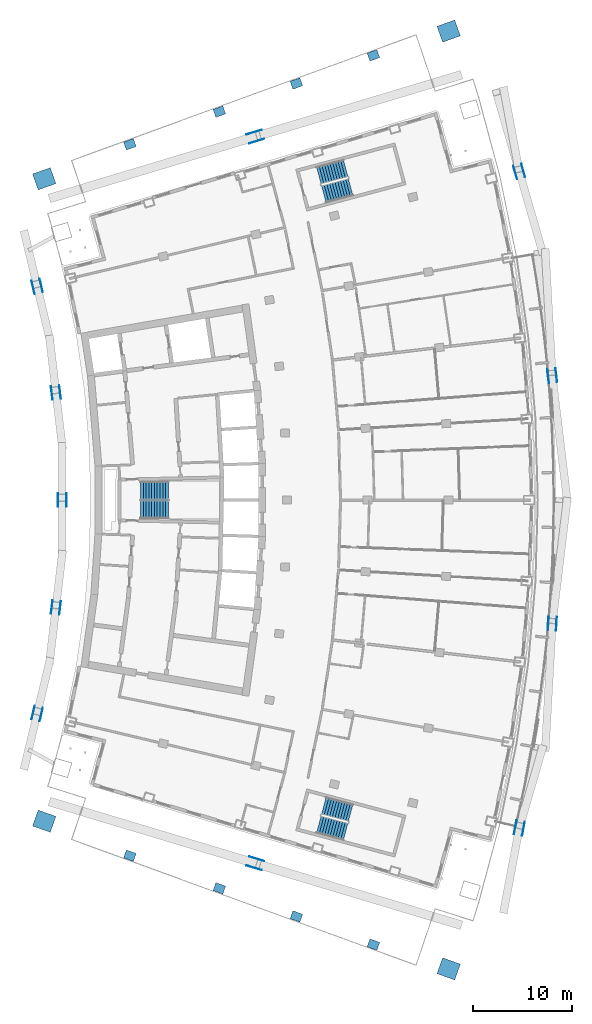
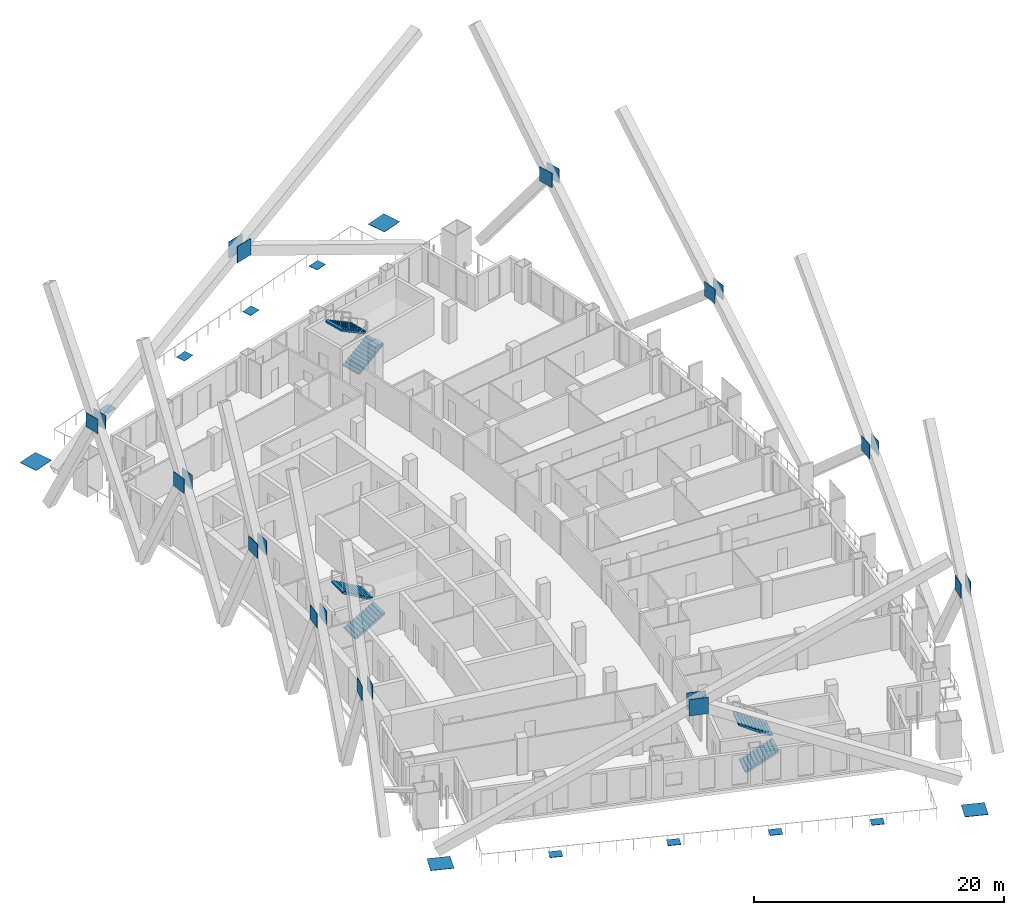
# One storey, part 17 of 20: 34 discrete accessories, 6 stair flights, 3 elements without a shape of their own.
"""IFC4 building model written with IfcOpenShell, lengths in metres."""

import ifcopenshell
import ifcopenshell.guid

model = None  # the IFC model being written
_history = None  # IfcOwnerHistory: only IFC2X3 demands one
_inside = {}  # id of a spatial element -> (the spatial element, [elements in it])
_under = {}  # id of a project, library or spatial element -> (it, [spatial elements below it])
_declared = {}  # id of a project -> (the project, [libraries it declares])
_typed = {}  # id of a type object -> (the type object, [elements of that type])
_made_of = {}  # id of a material, layer set ... -> (it, [elements and type objects made of it])


def new_model(schema):
    """Start an empty IFC model of exactly this schema.

    Asked for "IFC4X3", IfcOpenShell would pick the latest addendum, in which some entities
    have other attributes; the version numbers below select the first issue.
    IFC2X3 requires an IfcOwnerHistory on every rooted entity: one is made here for all.
    """
    global model, _history
    if schema == "IFC4X3":
        model = ifcopenshell.file(schema_version=(4, 3, 0, 0))
    else:
        model = ifcopenshell.file(schema=schema)
    _inside.clear()
    _under.clear()
    _declared.clear()
    _typed.clear()
    _made_of.clear()
    _history = None
    if model.schema == "IFC2X3":
        org = make("IfcOrganization", Name="unknown")
        user = make(
            "IfcPersonAndOrganization",
            ThePerson=make("IfcPerson", FamilyName="unknown"),
            TheOrganization=org,
        )
        app = make(
            "IfcApplication",
            ApplicationDeveloper=org,
            Version="unknown",
            ApplicationFullName="unknown",
            ApplicationIdentifier="unknown",
        )
        _history = make(
            "IfcOwnerHistory",
            OwningUser=user,
            OwningApplication=app,
            ChangeAction="ADDED",
            CreationDate=0,
        )
    return model


def make(cls, **values):
    """One entity of the class cls with the attributes given. An attribute that is None is left unset."""
    return model.create_entity(
        cls, **{name: value for name, value in values.items() if value is not None}
    )


def rooted(cls, **values):
    """An entity with a GlobalId (a new one), such as an element, a storey or a relation."""
    return make(cls, GlobalId=ifcopenshell.guid.new(), OwnerHistory=_history, **values)


def si_unit(unit_type, name, prefix=None):
    """IfcSIUnit, for example si_unit("LENGTHUNIT", "METRE", prefix="MILLI")."""
    return make("IfcSIUnit", UnitType=unit_type, Prefix=prefix, Name=name)


def assignment(units):
    """IfcUnitAssignment: the units of a project."""
    return None if units is None else make("IfcUnitAssignment", Units=units)


def point(xyz):
    """IfcCartesianPoint."""
    return None if xyz is None else make("IfcCartesianPoint", Coordinates=xyz)


def direction(xyz):
    """IfcDirection."""
    return None if xyz is None else make("IfcDirection", DirectionRatios=xyz)


def frame(location, z_axis=None, x_axis=None):
    """IfcAxis2Placement3D, a coordinate frame: its origin and axes. An axis left out is left unset."""
    return make(
        "IfcAxis2Placement3D",
        Location=point(location),
        Axis=direction(z_axis),
        RefDirection=direction(x_axis),
    )


def frame_2d(location, x_axis=None):
    """IfcAxis2Placement2D, a coordinate frame in the plane: its origin and x axis."""
    return make(
        "IfcAxis2Placement2D", Location=point(location), RefDirection=direction(x_axis)
    )


def origin():
    """The frame at (0, 0, 0) with its axes left unset."""
    return frame((0.0, 0.0, 0.0))


def origin_2d():
    """The frame at (0, 0) in the plane with its x axis left unset."""
    return frame_2d((0.0, 0.0))


def place(relative_to, where):
    """IfcLocalPlacement: puts the frame where relative to a parent placement (None: the world)."""
    return make(
        "IfcLocalPlacement", PlacementRelTo=relative_to, RelativePlacement=where
    )


def context(
    kind, dimensions, precision=None, world=None, true_north=None, identifier=None
):
    """IfcGeometricRepresentationContext, for example the 3D "Model" context."""
    return make(
        "IfcGeometricRepresentationContext",
        ContextIdentifier=identifier,
        ContextType=kind,
        CoordinateSpaceDimension=dimensions,
        Precision=precision,
        WorldCoordinateSystem=world,
        TrueNorth=true_north,
    )


def subcontext(parent, identifier, kind, view, scale=None):
    """IfcGeometricRepresentationSubContext, for example "Body" below "Model"."""
    return make(
        "IfcGeometricRepresentationSubContext",
        ContextIdentifier=identifier,
        ContextType=kind,
        ParentContext=parent,
        TargetScale=scale,
        TargetView=view,
    )


def project(units=None, contexts=None):
    """IfcProject with its units and contexts."""
    return rooted(
        "IfcProject",
        Name="project",
        RepresentationContexts=contexts,
        UnitsInContext=assignment(units),
    )


def spatial(cls, under=None, at=None, **own):
    """A site, building, storey or space (cls), placed at a placement, below another one or the project."""
    s = rooted(cls, ObjectPlacement=at, **own)
    if under is not None:
        _under.setdefault(under.id(), (under, []))[1].append(s)
    return s


def polyline(points):
    """IfcPolyline through the points."""
    return make("IfcPolyline", Points=[point(p) for p in points])


def profile(cls, at=None, kind="AREA", **sizes):
    """A parametric profile (cls). Its sizes go by their IFC names, for example OverallWidth=200.0."""
    return make(cls, ProfileType=kind, Position=at, **sizes)


def rectangle(**sizes):
    """IfcRectangleProfileDef."""
    return profile("IfcRectangleProfileDef", **sizes)


def outline(outer, holes=None, kind="AREA"):
    """IfcArbitraryClosedProfileDef: a profile drawn as a closed curve; with holes, ...WithVoids."""
    if holes is None:
        return make("IfcArbitraryClosedProfileDef", ProfileType=kind, OuterCurve=outer)
    return make(
        "IfcArbitraryProfileDefWithVoids",
        ProfileType=kind,
        OuterCurve=outer,
        InnerCurves=holes,
    )


def extrude(swept, where, along, depth):
    """IfcExtrudedAreaSolid: the profile swept, set in the frame where, extruded along a direction by depth."""
    return make(
        "IfcExtrudedAreaSolid",
        SweptArea=swept,
        Position=where,
        ExtrudedDirection=direction(along),
        Depth=depth,
    )


def shape(context_of_items, identifier, shape_type, items):
    """IfcShapeRepresentation: the items that make up one representation, for example the "Body"."""
    return make(
        "IfcShapeRepresentation",
        ContextOfItems=context_of_items,
        RepresentationIdentifier=identifier,
        RepresentationType=shape_type,
        Items=items,
    )


def material(Name=None, Category=None):
    """IfcMaterial."""
    return make("IfcMaterial", Name=Name, Category=Category)


def layer(
    of_material, thickness, ventilated=None, Name=None, Category=None, Priority=None
):
    """IfcMaterialLayer: one layer of a wall or slab, of a material (None: an air gap)."""
    return make(
        "IfcMaterialLayer",
        Material=of_material,
        LayerThickness=thickness,
        IsVentilated=ventilated,
        Name=Name,
        Category=Category,
        Priority=Priority,
    )


def layer_set(layers, Name=None):
    """IfcMaterialLayerSet."""
    return make("IfcMaterialLayerSet", MaterialLayers=layers, LayerSetName=Name)


def material_profile(
    of_material, cross_section, Name=None, Category=None, Priority=None
):
    """IfcMaterialProfile: a cross section and its material."""
    return make(
        "IfcMaterialProfile",
        Name=Name,
        Material=of_material,
        Profile=cross_section,
        Priority=Priority,
        Category=Category,
    )


def profile_set(profiles, Name=None, composite=None):
    """IfcMaterialProfileSet."""
    return make(
        "IfcMaterialProfileSet",
        Name=Name,
        MaterialProfiles=profiles,
        CompositeProfile=composite,
    )


def made_of(thing, what):
    """Note that an element or type object is made of a material, layer set ...; save() writes the relation."""
    if what is not None:
        _made_of.setdefault(what.id(), (what, []))[1].append(thing)
    return thing


def type_object(cls, material=None, **own):
    """A type object (cls), such as IfcWallType, which elements share."""
    return made_of(rooted(cls, **own), material)


def element(
    cls,
    number,
    at=None,
    inside=None,
    cuts=None,
    type_object=None,
    material=None,
    context=None,
    identifier="Body",
    shape_type=None,
    held_by="IfcProductDefinitionShape",
    body=None,
    shapes=None,
    **own,
):
    """One element of the class cls, such as IfcWall. Its Tag is "e" and its number.

    at: its placement. inside: the storey or other place that contains it. cuts: it is an
    opening in that element (IfcRelVoidsElement). A single representation is given by context,
    identifier, shape_type and body (its items); several are given by shapes. held_by: the class
    of the entity that holds the representations. save() writes the other relations.
    """
    e = rooted(cls, Tag="e%d" % number, ObjectPlacement=at, **own)
    if body is not None:
        shapes = [shape(context, identifier, shape_type, body)]
    if shapes is not None:
        e.Representation = make(held_by, Representations=shapes)
    if inside is not None:
        _inside.setdefault(inside.id(), (inside, []))[1].append(e)
    if cuts is not None:
        rooted(
            "IfcRelVoidsElement", RelatingBuildingElement=cuts, RelatedOpeningElement=e
        )
    if type_object is not None:
        _typed.setdefault(type_object.id(), (type_object, []))[1].append(e)
    return made_of(e, material)


def aggregate(whole, parts):
    """IfcRelAggregates: a whole, such as a stair, and the parts it consists of."""
    return rooted("IfcRelAggregates", RelatingObject=whole, RelatedObjects=parts)


def save(model, path):
    """Write the relations noted so far, then the file.

    IfcRelAggregates (storeys below a building ...), IfcRelContainedInSpatialStructure (elements
    in a storey), IfcRelDefinesByType, IfcRelAssociatesMaterial and IfcRelDeclares: one each for
    every whole, place, type object, material and project.
    """
    for whole, parts in _under.values():
        aggregate(whole, parts)
    for where, things in _inside.values():
        rooted(
            "IfcRelContainedInSpatialStructure",
            RelatedElements=things,
            RelatingStructure=where,
        )
    for kind, things in _typed.values():
        rooted("IfcRelDefinesByType", RelatedObjects=things, RelatingType=kind)
    for what, things in _made_of.values():
        rooted("IfcRelAssociatesMaterial", RelatedObjects=things, RelatingMaterial=what)
    for by, libraries in _declared.values():
        rooted("IfcRelDeclares", RelatingContext=by, RelatedDefinitions=libraries)
    model.write(path)


model = new_model("IFC4")

# Units and contexts
model_context = context("Model", 3, precision=1e-05, world=origin(), true_north=direction((0.0, 1.0)))
body_context = subcontext(model_context, "Body", "Model", "MODEL_VIEW")
ifc_project = project(units=[si_unit("LENGTHUNIT", "METRE"), si_unit("AREAUNIT", "SQUARE_METRE"), si_unit("VOLUMEUNIT", "CUBIC_METRE"), si_unit("PLANEANGLEUNIT", "RADIAN"), si_unit("MASSUNIT", "GRAM", prefix="KILO")], contexts=[model_context])

# Site, building, storey
site_placement = place(None, origin())
site = spatial("IfcSite", under=ifc_project, at=site_placement, CompositionType="ELEMENT")
building_placement = place(site_placement, origin())
building = spatial("IfcBuilding", under=site, at=building_placement, Name="Alderwake Tower", CompositionType="ELEMENT")
storey_placement = place(building_placement, frame((0.0, 0.0, 138.800048828125)))
storey = spatial("IfcBuildingStorey", under=building, at=storey_placement, Name="L33", CompositionType="ELEMENT", Elevation=138.800048828125)

# Stair, stair flights
ifc_material_1 = material(Name="Concrete C40/50", Category="concrete")
stair_type = type_object("IfcStairType", Name="Core exit stair", PredefinedType="HALF_TURN_STAIR", material=ifc_material_1)
stair_1_placement = place(storey_placement, origin())
stair_1 = element("IfcStair", 1, at=stair_1_placement, inside=storey, type_object=stair_type, Name="L33 Exit Stair B", PredefinedType="HALF_TURN_STAIR")
ifc_material_2 = material(Name="Concrete C40/50", Category="concrete")
ifc_layer = layer(ifc_material_2, 0.14990234375)
ifc_layer_set = layer_set([ifc_layer], Name="Core stair flight")
stair_flight_type = type_object("IfcStairFlightType", Name="Core stair flight", PredefinedType="STRAIGHT", material=ifc_layer_set)
stair_flight_1_placement = place(storey_placement, frame((21.0400390625, 60.02490234375, 0.0), z_axis=(0.0, 0.0, 1.0), x_axis=(1.0, 0.0, 0.0)))
stair_flight_1 = element("IfcStairFlight", 2, at=stair_flight_1_placement, type_object=stair_flight_type, Name="ST-B flight 1", NumberOfRisers=11, NumberOfTreads=10, PredefinedType="STRAIGHT", RiserHeight=0.163636364, TreadLength=0.28, context=body_context, shape_type="SweptSolid", body=[
    extrude(outline(polyline([(0.0, 0.0), (0.0, 0.16357421875), (0.280029296875, 0.16357421875), (0.280029296875, 0.327392578125), (0.56005859375, 0.327392578125), (0.56005859375, 0.490966796875), (0.840087890625, 0.490966796875), (0.840087890625, 0.654541015625), (1.1201171875, 0.654541015625), (1.1201171875, 0.818115234375), (1.39990234375, 0.818115234375), (1.39990234375, 0.98193359375), (1.679931640625, 0.98193359375), (1.679931640625, 1.1455078125), (1.9599609375, 1.1455078125), (1.9599609375, 1.30908203125), (2.239990234375, 1.30908203125), (2.239990234375, 1.47265625), (2.52001953125, 1.47265625), (2.52001953125, 1.636474609375), (2.800048828125, 1.636474609375), (2.800048828125, 1.800048828125), (2.800048828125, 1.462646484375), (0.297119140625, 0.0), (0.0, 0.0)])), frame((0.0, 0.89990234375, 0.0), z_axis=(0.0, -1.0, 0.0), x_axis=(1.0, 0.0, 0.0)), (0.0, 0.0, 1.0), 1.800048828125),
])
stair_flight_2_placement = place(storey_placement, frame((23.840087890625, 61.97509765625, 1.800048828125), z_axis=(0.0, 0.0, 1.0), x_axis=(-1.0, 0.0, 0.0)))
stair_flight_2 = element("IfcStairFlight", 3, at=stair_flight_2_placement, type_object=stair_flight_type, Name="ST-B flight 2", NumberOfRisers=11, NumberOfTreads=10, PredefinedType="STRAIGHT", RiserHeight=0.163636364, TreadLength=0.28, context=body_context, shape_type="SweptSolid", body=[
    extrude(outline(polyline([(0.0, 0.0), (0.0, 0.16357421875), (0.280029296875, 0.16357421875), (0.280029296875, 0.327392578125), (0.56005859375, 0.327392578125), (0.56005859375, 0.490966796875), (0.840087890625, 0.490966796875), (0.840087890625, 0.654541015625), (1.1201171875, 0.654541015625), (1.1201171875, 0.818115234375), (1.39990234375, 0.818115234375), (1.39990234375, 0.98193359375), (1.679931640625, 0.98193359375), (1.679931640625, 1.1455078125), (1.9599609375, 1.1455078125), (1.9599609375, 1.30908203125), (2.239990234375, 1.30908203125), (2.239990234375, 1.47265625), (2.52001953125, 1.47265625), (2.52001953125, 1.636474609375), (2.800048828125, 1.636474609375), (2.800048828125, 1.800048828125), (2.800048828125, 1.462646484375), (0.297119140625, 0.0), (0.0, 0.0)])), frame((0.0, 0.89990234375, 0.0), z_axis=(0.0, -1.0, 0.0), x_axis=(1.0, 0.0, 0.0)), (0.0, 0.0, 1.0), 1.800048828125),
])
aggregate(stair_1, [stair_flight_1, stair_flight_2])

stair_2_placement = place(storey_placement, origin())
stair_2 = element("IfcStair", 4, at=stair_2_placement, inside=storey, type_object=stair_type, Name="L33 Exit Stair A", PredefinedType="HALF_TURN_STAIR")
stair_flight_3_placement = place(storey_placement, frame((39.512939453125, 91.823974609375, 0.0), z_axis=(0.0, 0.0, 1.0), x_axis=(0.966309627437, 0.257382407951, 0.0)))
stair_flight_3 = element("IfcStairFlight", 5, at=stair_flight_3_placement, type_object=stair_flight_type, Name="ST-A flight 1", NumberOfRisers=11, NumberOfTreads=10, PredefinedType="STRAIGHT", RiserHeight=0.163636364, TreadLength=0.28, context=body_context, shape_type="SweptSolid", body=[
    extrude(outline(polyline([(0.0, 0.0), (0.0, 0.16357421875), (0.280029296875, 0.16357421875), (0.280029296875, 0.327392578125), (0.56005859375, 0.327392578125), (0.56005859375, 0.490966796875), (0.840087890625, 0.490966796875), (0.840087890625, 0.654541015625), (1.1201171875, 0.654541015625), (1.1201171875, 0.818115234375), (1.39990234375, 0.818115234375), (1.39990234375, 0.98193359375), (1.679931640625, 0.98193359375), (1.679931640625, 1.1455078125), (1.9599609375, 1.1455078125), (1.9599609375, 1.30908203125), (2.239990234375, 1.30908203125), (2.239990234375, 1.47265625), (2.52001953125, 1.47265625), (2.52001953125, 1.636474609375), (2.800048828125, 1.636474609375), (2.800048828125, 1.800048828125), (2.800048828125, 1.462646484375), (0.297119140625, 0.0), (0.0, 0.0)])), frame((0.0, 0.89990234375, 0.0), z_axis=(0.0, -1.0, 0.0), x_axis=(1.0, 0.0, 0.0)), (0.0, 0.0, 1.0), 1.800048828125),
])
stair_flight_4_placement = place(storey_placement, frame((41.716796875, 94.428955078125, 1.800048828125), z_axis=(0.0, 0.0, 1.0), x_axis=(-0.966309627437, -0.257382407951, 0.0)))
stair_flight_4 = element("IfcStairFlight", 6, at=stair_flight_4_placement, type_object=stair_flight_type, Name="ST-A flight 2", NumberOfRisers=11, NumberOfTreads=10, PredefinedType="STRAIGHT", RiserHeight=0.163636364, TreadLength=0.28, context=body_context, shape_type="SweptSolid", body=[
    extrude(outline(polyline([(0.0, 0.0), (0.0, 0.16357421875), (0.280029296875, 0.16357421875), (0.280029296875, 0.327392578125), (0.56005859375, 0.327392578125), (0.56005859375, 0.490966796875), (0.840087890625, 0.490966796875), (0.840087890625, 0.654541015625), (1.1201171875, 0.654541015625), (1.1201171875, 0.818115234375), (1.39990234375, 0.818115234375), (1.39990234375, 0.98193359375), (1.679931640625, 0.98193359375), (1.679931640625, 1.1455078125), (1.9599609375, 1.1455078125), (1.9599609375, 1.30908203125), (2.239990234375, 1.30908203125), (2.239990234375, 1.47265625), (2.52001953125, 1.47265625), (2.52001953125, 1.636474609375), (2.800048828125, 1.636474609375), (2.800048828125, 1.800048828125), (2.800048828125, 1.462646484375), (0.297119140625, 0.0), (0.0, 0.0)])), frame((0.0, 0.89990234375, 0.0), z_axis=(0.0, -1.0, 0.0), x_axis=(1.0, 0.0, 0.0)), (0.0, 0.0, 1.0), 1.800048828125),
])
aggregate(stair_2, [stair_flight_3, stair_flight_4])

stair_3_placement = place(storey_placement, origin())
stair_3 = element("IfcStair", 7, at=stair_3_placement, inside=storey, type_object=stair_type, Name="L33 Exit Stair C", PredefinedType="HALF_TURN_STAIR")
stair_flight_5_placement = place(storey_placement, frame((39.010986328125, 28.291748046875, 0.0), z_axis=(0.0, 0.0, 1.0), x_axis=(0.966309627437, -0.257382407951, 0.0)))
stair_flight_5 = element("IfcStairFlight", 8, at=stair_flight_5_placement, type_object=stair_flight_type, Name="ST-C flight 1", NumberOfRisers=11, NumberOfTreads=10, PredefinedType="STRAIGHT", RiserHeight=0.163636364, TreadLength=0.28, context=body_context, shape_type="SweptSolid", body=[
    extrude(outline(polyline([(0.0, 0.0), (0.0, 0.16357421875), (0.280029296875, 0.16357421875), (0.280029296875, 0.327392578125), (0.56005859375, 0.327392578125), (0.56005859375, 0.490966796875), (0.840087890625, 0.490966796875), (0.840087890625, 0.654541015625), (1.1201171875, 0.654541015625), (1.1201171875, 0.818115234375), (1.39990234375, 0.818115234375), (1.39990234375, 0.98193359375), (1.679931640625, 0.98193359375), (1.679931640625, 1.1455078125), (1.9599609375, 1.1455078125), (1.9599609375, 1.30908203125), (2.239990234375, 1.30908203125), (2.239990234375, 1.47265625), (2.52001953125, 1.47265625), (2.52001953125, 1.636474609375), (2.800048828125, 1.636474609375), (2.800048828125, 1.800048828125), (2.800048828125, 1.462646484375), (0.297119140625, 0.0), (0.0, 0.0)])), frame((0.0, 0.89990234375, 0.0), z_axis=(0.0, -1.0, 0.0), x_axis=(1.0, 0.0, 0.0)), (0.0, 0.0, 1.0), 1.800048828125),
])
stair_flight_6_placement = place(storey_placement, frame((42.218505859375, 29.455322265625, 1.800048828125), z_axis=(0.0, 0.0, 1.0), x_axis=(-0.966309627437, 0.257382407951, 0.0)))
stair_flight_6 = element("IfcStairFlight", 9, at=stair_flight_6_placement, type_object=stair_flight_type, Name="ST-C flight 2", NumberOfRisers=11, NumberOfTreads=10, PredefinedType="STRAIGHT", RiserHeight=0.163636364, TreadLength=0.28, context=body_context, shape_type="SweptSolid", body=[
    extrude(outline(polyline([(0.0, 0.0), (0.0, 0.16357421875), (0.280029296875, 0.16357421875), (0.280029296875, 0.327392578125), (0.56005859375, 0.327392578125), (0.56005859375, 0.490966796875), (0.840087890625, 0.490966796875), (0.840087890625, 0.654541015625), (1.1201171875, 0.654541015625), (1.1201171875, 0.818115234375), (1.39990234375, 0.818115234375), (1.39990234375, 0.98193359375), (1.679931640625, 0.98193359375), (1.679931640625, 1.1455078125), (1.9599609375, 1.1455078125), (1.9599609375, 1.30908203125), (2.239990234375, 1.30908203125), (2.239990234375, 1.47265625), (2.52001953125, 1.47265625), (2.52001953125, 1.636474609375), (2.800048828125, 1.636474609375), (2.800048828125, 1.800048828125), (2.800048828125, 1.462646484375), (0.297119140625, 0.0), (0.0, 0.0)])), frame((0.0, 0.89990234375, 0.0), z_axis=(0.0, -1.0, 0.0), x_axis=(1.0, 0.0, 0.0)), (0.0, 0.0, 1.0), 1.800048828125),
])
aggregate(stair_3, [stair_flight_5, stair_flight_6])

# Discrete accessories
ifc_material_3 = material(Name="Steel ASTM A572 Grade 50", Category="steel")
ifc_material_profile_1 = material_profile(ifc_material_3, rectangle(XDim=0.85009765625, YDim=1.050048828125, at=origin_2d()), Name="BOX 1050X850X60 cap")
ifc_profile_set_1 = profile_set([ifc_material_profile_1], Name="Steel ASTM A572 Grade 50")
discrete_accessory_type_1 = type_object("IfcDiscreteAccessoryType", Name="End cap plate BOX 1050X850X60", PredefinedType="USERDEFINED", material=ifc_profile_set_1)
for number, where, z_axis, x_axis, name in (
    (10, (19.965576171875, 25.1484375, 0.0), (0.0, 0.0, 1.0), (0.337584879279, 0.9412950915, 0.0), "End cap R01-C1 N"),
    (11, (28.983642578125, 21.856689453125, 0.0), (0.0, 0.0, 1.0), (0.338026774049, 0.941136493834, 0.0), "End cap R01-C2 N"),
    (12, (36.749267578125, 19.02197265625, 0.0), (0.0, 0.0, 1.0), (0.338351987283, 0.941019623973, 0.0), "End cap R01-C3 N"),
    (13, (44.514892578125, 16.187255859375, 0.0), (0.0, 0.0, 1.0), (0.338634462954, 0.940918009446, 0.0), "End cap R01-C4 N"),
    (14, (19.965576171875, 96.8515625, 0.0), (0.0, 0.0, 1.0), (-0.337584879279, 0.9412950915, 0.0), "End cap R13-C1 N"),
    (15, (28.983642578125, 100.143310546875, 0.0), (0.0, 0.0, 1.0), (-0.338026774049, 0.941136493834, 0.0), "End cap R13-C2 N"),
    (16, (36.749267578125, 102.97802734375, 0.0), (0.0, 0.0, 1.0), (-0.338351987283, 0.941019623973, 0.0), "End cap R13-C3 N"),
    (17, (44.514892578125, 105.812744140625, 0.0), (0.0, 0.0, 1.0), (-0.338634462954, 0.940918009446, 0.0), "End cap R13-C4 N"),
):
    element("IfcDiscreteAccessory", number, at=place(storey_placement, frame(where, z_axis=z_axis, x_axis=x_axis)), inside=storey, type_object=discrete_accessory_type_1, Name=name, ObjectType="END CAP", PredefinedType="USERDEFINED", context=body_context, shape_type="SweptSolid", body=[
        extrude(rectangle(XDim=0.85009765625, YDim=1.050048828125, at=origin_2d()), origin(), (0.0, 0.0, 1.0), 0.030029296875),
    ])
ifc_material_4 = material(Name="Steel ASTM A572 Grade 50", Category="steel")
ifc_material_profile_2 = material_profile(ifc_material_4, rectangle(XDim=1.699951171875, YDim=1.89990234375, at=origin_2d()), Name="BOX 1900X1700X85 cap")
ifc_profile_set_2 = profile_set([ifc_material_profile_2], Name="Steel ASTM A572 Grade 50")
discrete_accessory_type_2 = type_object("IfcDiscreteAccessoryType", Name="End cap plate BOX 1900X1700X85", PredefinedType="USERDEFINED", material=ifc_profile_set_2)
for number, where, z_axis, x_axis, name in (
    (18, (11.330810546875, 28.622802734375, 0.0), (0.0, 0.0, 1.0), (0.334130947791, 0.942526662609, 0.0), "End cap R01-C0 N"),
    (19, (52.09912109375, 13.736083984375, 0.0), (0.0, 0.0, 1.0), (0.336878350236, 0.941548180999, 0.0), "End cap R01-C5 N"),
    (20, (11.330810546875, 93.377197265625, 0.0), (0.0, 0.0, 1.0), (-0.334130947791, 0.942526662609, 0.0), "End cap R13-C0 N"),
    (21, (52.09912109375, 108.263916015625, 0.0), (0.0, 0.0, 1.0), (-0.336878350236, 0.941548180999, 0.0), "End cap R13-C5 N"),
):
    element("IfcDiscreteAccessory", number, at=place(storey_placement, frame(where, z_axis=z_axis, x_axis=x_axis)), inside=storey, type_object=discrete_accessory_type_2, Name=name, ObjectType="END CAP", PredefinedType="USERDEFINED", context=body_context, shape_type="SweptSolid", body=[
        extrude(rectangle(XDim=1.699951171875, YDim=1.89990234375, at=origin_2d()), origin(), (0.0, 0.0, 1.0), 0.030029296875),
    ])
ifc_material_5 = material(Name="Steel ASTM A572 Grade 50", Category="steel")
ifc_material_profile_3 = material_profile(ifc_material_5, rectangle(XDim=1.39990234375, YDim=1.39990234375, at=origin_2d()), Name="gusset 1400X1400")
ifc_profile_set_3 = profile_set([ifc_material_profile_3], Name="Steel ASTM A572 Grade 50")
discrete_accessory_type_3 = type_object("IfcDiscreteAccessoryType", Name="Gusset plate 1400X1400X40", PredefinedType="USERDEFINED", material=ifc_profile_set_3)
for number, where, z_axis, x_axis, name in (
    (22, (59.615966796875, 27.8623046875, 10.800048828125), (0.983078940965, -0.18318241136, 0.0), (0.18318241136, 0.983078940965, 0.0), "Gusset plate BRF3.1.2B outer"),
    (23, (58.82958984375, 28.009765625, 10.800048828125), (-0.983078940965, 0.18318241136, 0.0), (-0.18318241136, -0.983078940965, 0.0), "Gusset plate BRF3.1.2B inner"),
):
    element("IfcDiscreteAccessory", number, at=place(storey_placement, frame(where, z_axis=z_axis, x_axis=x_axis)), inside=storey, type_object=discrete_accessory_type_3, Name=name, ObjectType="GUSSET PLATE", PredefinedType="USERDEFINED", context=body_context, shape_type="SweptSolid", body=[
        extrude(rectangle(XDim=1.39990234375, YDim=1.39990234375, at=origin_2d()), origin(), (0.0, 0.0, 1.0), 0.0400390625),
    ])
discrete_accessory_1_placement = place(storey_placement, frame((62.943115234375, 48.508544921875, 10.800048828125), z_axis=(0.998479143686, -0.055130750265, 0.0), x_axis=(0.055130750265, 0.998479143686, 0.0)))
element("IfcDiscreteAccessory", 24, at=discrete_accessory_1_placement, inside=storey, type_object=discrete_accessory_type_3, Name="Gusset plate BRF3.1.4B outer", ObjectType="GUSSET PLATE", PredefinedType="USERDEFINED", context=body_context, shape_type="SweptSolid", body=[
    extrude(rectangle(XDim=1.39990234375, YDim=1.39990234375, at=origin_2d()), origin(), (0.0, 0.0, 1.0), 0.039794921875),
])
for number, where, z_axis, x_axis, name in (
    (25, (62.144287109375, 48.552978515625, 10.800048828125), (-0.998497592519, 0.054795599589, 0.0), (-0.054795599589, -0.998497592519, 0.0), "Gusset plate BRF3.1.4B inner"),
    (26, (62.9345703125, 73.5869140625, 10.800048828125), (0.993274823804, 0.115780500934, 0.0), (-0.115780500934, 0.993274823804, 0.0), "Gusset plate BRF3.1.7B outer"),
    (27, (62.140380859375, 73.49169921875, 10.800048828125), (-0.992556374233, -0.121786058188, 0.0), (0.121786058188, -0.992556374233, 0.0), "Gusset plate BRF3.1.7B inner"),
):
    element("IfcDiscreteAccessory", number, at=place(storey_placement, frame(where, z_axis=z_axis, x_axis=x_axis)), inside=storey, type_object=discrete_accessory_type_3, Name=name, ObjectType="GUSSET PLATE", PredefinedType="USERDEFINED", context=body_context, shape_type="SweptSolid", body=[
        extrude(rectangle(XDim=1.39990234375, YDim=1.39990234375, at=origin_2d()), origin(), (0.0, 0.0, 1.0), 0.0400390625),
    ])
discrete_accessory_2_placement = place(storey_placement, frame((59.59619140625, 94.220458984375, 10.800048828125), z_axis=(0.961292555402, 0.275529713332, 0.0), x_axis=(-0.275529713332, 0.961292555402, 0.0)))
element("IfcDiscreteAccessory", 28, at=discrete_accessory_2_placement, inside=storey, type_object=discrete_accessory_type_3, Name="Gusset plate BRF3.1.10B outer", ObjectType="GUSSET PLATE", PredefinedType="USERDEFINED", context=body_context, shape_type="SweptSolid", body=[
    extrude(rectangle(XDim=1.39990234375, YDim=1.39990234375, at=origin_2d()), origin(), (0.0, 0.0, 1.0), 0.039794921875),
])
discrete_accessory_3_placement = place(storey_placement, frame((58.82763671875, 93.99853515625, 10.800048828125), z_axis=(-0.959656984612, -0.281173384027, 0.0), x_axis=(0.281173384027, -0.959656984612, 0.0)))
element("IfcDiscreteAccessory", 29, at=discrete_accessory_3_placement, inside=storey, type_object=discrete_accessory_type_3, Name="Gusset plate BRF3.1.10B inner", ObjectType="GUSSET PLATE", PredefinedType="USERDEFINED", context=body_context, shape_type="SweptSolid", body=[
    extrude(rectangle(XDim=1.39990234375, YDim=1.39990234375, at=origin_2d()), origin(), (0.0, 0.0, 1.0), 0.0400390625),
])
for number, where, z_axis, x_axis, name in (
    (30, (11.006591796875, 39.37109375, 10.800048828125), (0.973976588012, -0.226648639978, 0.0), (0.226648639978, 0.973976588012, 0.0), "Gusset plate BRR3.1.2B outer"),
    (31, (10.22802734375, 39.55615234375, 10.800048828125), (-0.972608962829, 0.232447425079, 0.0), (-0.232447425079, -0.972608962829, 0.0), "Gusset plate BRR3.1.2B inner"),
    (32, (12.905517578125, 50.111572265625, 10.800048828125), (0.993192389202, -0.116485527129, 0.0), (0.116485527129, 0.993192389202, 0.0), "Gusset plate BRR3.1.4B outer"),
    (33, (12.11083984375, 50.20458984375, 10.800048828125), (-0.992465233221, 0.122526572003, 0.0), (-0.122526572003, -0.992465233221, 0.0), "Gusset plate BRR3.1.4B inner"),
):
    element("IfcDiscreteAccessory", number, at=place(storey_placement, frame(where, z_axis=z_axis, x_axis=x_axis)), inside=storey, type_object=discrete_accessory_type_3, Name=name, ObjectType="GUSSET PLATE", PredefinedType="USERDEFINED", context=body_context, shape_type="SweptSolid", body=[
        extrude(rectangle(XDim=1.39990234375, YDim=1.39990234375, at=origin_2d()), origin(), (0.0, 0.0, 1.0), 0.039794921875),
    ])
discrete_accessory_4_placement = place(storey_placement, frame((13.541259765625, 61.0, 10.800048828125), z_axis=(1.0, 0.0, 0.0), x_axis=(0.0, 1.0, 0.0)))
element("IfcDiscreteAccessory", 34, at=discrete_accessory_4_placement, inside=storey, type_object=discrete_accessory_type_3, Name="Gusset plate BRR3.1.6B outer", ObjectType="GUSSET PLATE", PredefinedType="USERDEFINED", context=body_context, shape_type="SweptSolid", body=[
    extrude(rectangle(XDim=1.39990234375, YDim=1.39990234375, at=origin_2d()), origin(), (0.0, 0.0, 1.0), 0.0400390625),
])
for number, where, z_axis, x_axis, name in (
    (35, (12.7412109375, 61.0, 10.800048828125), (-1.0, 0.0, 0.0), (0.0, -1.0, 0.0), "Gusset plate BRR3.1.6B inner"),
    (36, (12.905517578125, 71.888427734375, 10.800048828125), (0.993192389202, 0.116485527129, 0.0), (-0.116485527129, 0.993192389202, 0.0), "Gusset plate BRR3.1.8B outer"),
    (37, (12.11083984375, 71.79541015625, 10.800048828125), (-0.992465233221, -0.122526572003, 0.0), (0.122526572003, -0.992465233221, 0.0), "Gusset plate BRR3.1.8B inner"),
    (38, (11.006591796875, 82.62890625, 10.800048828125), (0.973976588012, 0.226648639978, 0.0), (-0.226648639978, 0.973976588012, 0.0), "Gusset plate BRR3.1.10B outer"),
    (39, (10.22802734375, 82.44384765625, 10.800048828125), (-0.972608962829, -0.232447425079, 0.0), (0.232447425079, -0.972608962829, 0.0), "Gusset plate BRR3.1.10B inner"),
):
    element("IfcDiscreteAccessory", number, at=place(storey_placement, frame(where, z_axis=z_axis, x_axis=x_axis)), inside=storey, type_object=discrete_accessory_type_3, Name=name, ObjectType="GUSSET PLATE", PredefinedType="USERDEFINED", context=body_context, shape_type="SweptSolid", body=[
        extrude(rectangle(XDim=1.39990234375, YDim=1.39990234375, at=origin_2d()), origin(), (0.0, 0.0, 1.0), 0.039794921875),
    ])
ifc_material_6 = material(Name="Steel ASTM A572 Grade 50", Category="steel")
ifc_material_profile_4 = material_profile(ifc_material_6, rectangle(XDim=1.60009765625, YDim=1.60009765625, at=origin_2d()), Name="gusset 1600X1600")
ifc_profile_set_4 = profile_set([ifc_material_profile_4], Name="Steel ASTM A572 Grade 50")
discrete_accessory_type_4 = type_object("IfcDiscreteAccessoryType", Name="Gusset plate 1600X1600X40", PredefinedType="USERDEFINED", material=ifc_profile_set_4)
discrete_accessory_5_placement = place(storey_placement, frame((32.49365234375, 23.937255859375, 10.800048828125), z_axis=(-0.286788031626, -0.95799406309, 0.0), x_axis=(0.95799406309, -0.286788031626, 0.0)))
element("IfcDiscreteAccessory", 40, at=discrete_accessory_5_placement, inside=storey, type_object=discrete_accessory_type_4, Name="Gusset plate BRS3.1.0B outer", ObjectType="GUSSET PLATE", PredefinedType="USERDEFINED", context=body_context, shape_type="SweptSolid", body=[
    extrude(rectangle(XDim=1.60009765625, YDim=1.60009765625, at=origin_2d()), origin(), (0.0, 0.0, 1.0), 0.0400390625),
])
discrete_accessory_6_placement = place(storey_placement, frame((32.75244140625, 24.79931640625, 10.800048828125), z_axis=(0.288473878152, 0.957487765783, 0.0), x_axis=(-0.957487765783, 0.288473878152, 0.0)))
element("IfcDiscreteAccessory", 41, at=discrete_accessory_6_placement, inside=storey, type_object=discrete_accessory_type_4, Name="Gusset plate BRS3.1.0B inner", ObjectType="GUSSET PLATE", PredefinedType="USERDEFINED", context=body_context, shape_type="SweptSolid", body=[
    extrude(rectangle(XDim=1.60009765625, YDim=1.60009765625, at=origin_2d()), origin(), (0.0, 0.0, 1.0), 0.039794921875),
])
discrete_accessory_7_placement = place(storey_placement, frame((32.49365234375, 98.062744140625, 10.800048828125), z_axis=(-0.286788031626, 0.95799406309, 0.0), x_axis=(-0.95799406309, -0.286788031626, 0.0)))
element("IfcDiscreteAccessory", 42, at=discrete_accessory_7_placement, inside=storey, type_object=discrete_accessory_type_4, Name="Gusset plate BRN3.1.0B outer", ObjectType="GUSSET PLATE", PredefinedType="USERDEFINED", context=body_context, shape_type="SweptSolid", body=[
    extrude(rectangle(XDim=1.60009765625, YDim=1.60009765625, at=origin_2d()), origin(), (0.0, 0.0, 1.0), 0.0400390625),
])
discrete_accessory_8_placement = place(storey_placement, frame((32.75244140625, 97.20068359375, 10.800048828125), z_axis=(0.288473878152, -0.957487765783, 0.0), x_axis=(0.957487765783, 0.288473878152, 0.0)))
element("IfcDiscreteAccessory", 43, at=discrete_accessory_8_placement, inside=storey, type_object=discrete_accessory_type_4, Name="Gusset plate BRN3.1.0B inner", ObjectType="GUSSET PLATE", PredefinedType="USERDEFINED", context=body_context, shape_type="SweptSolid", body=[
    extrude(rectangle(XDim=1.60009765625, YDim=1.60009765625, at=origin_2d()), origin(), (0.0, 0.0, 1.0), 0.039794921875),
])

save(model, "model.ifc")
